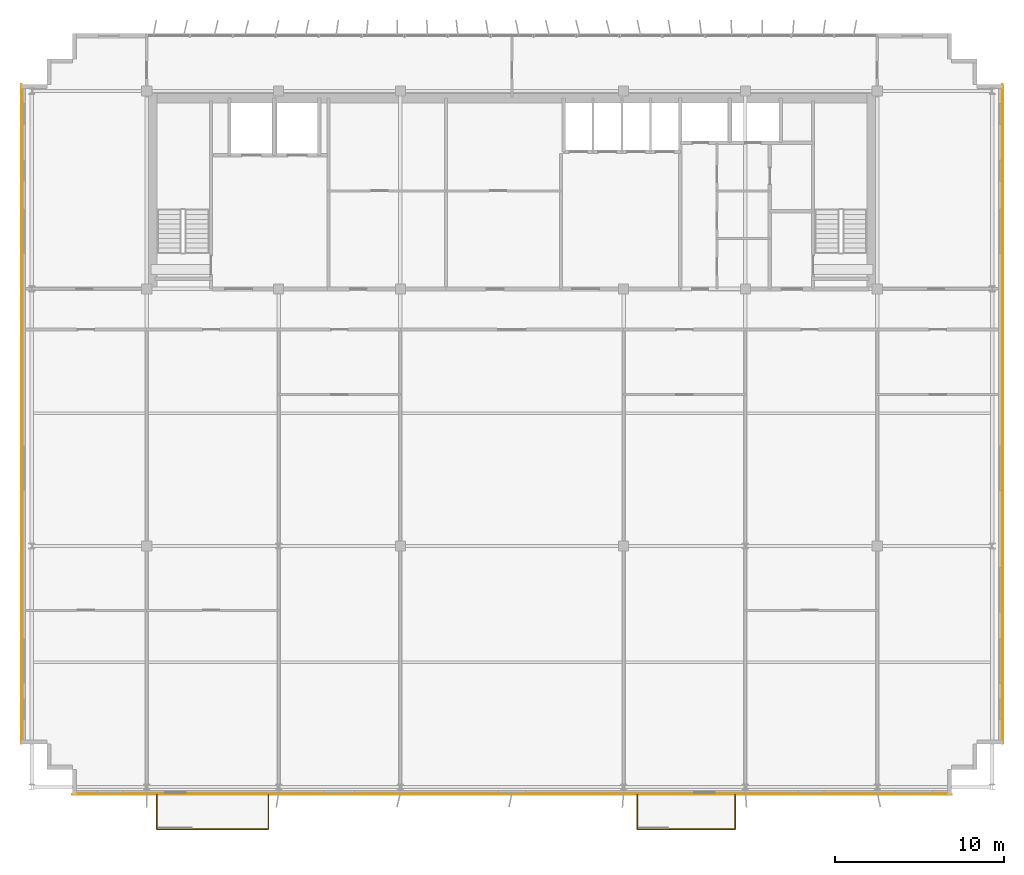
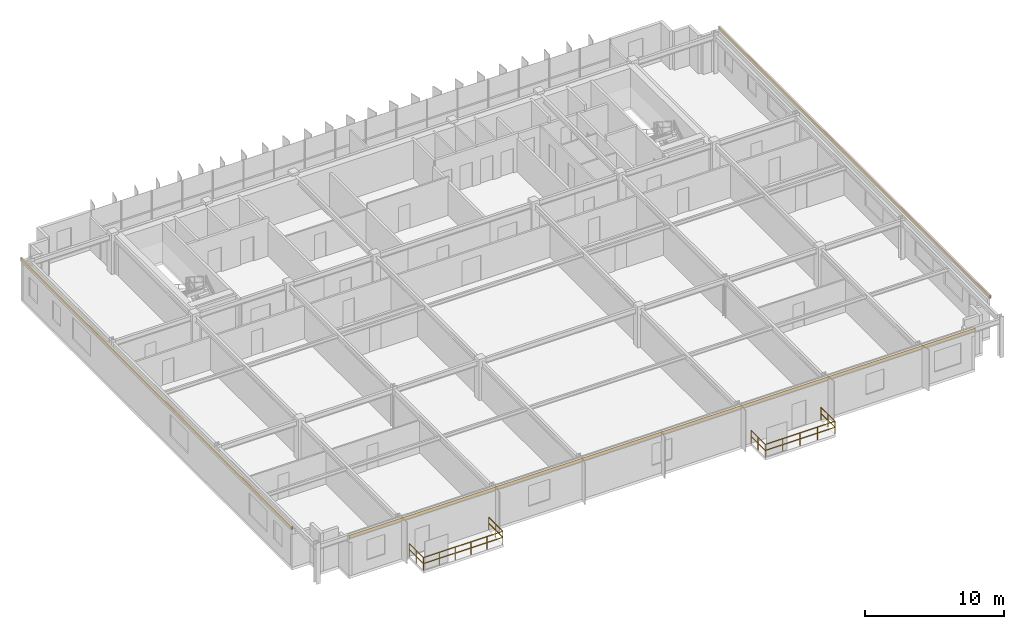
# One storey, part 20 of 21: 6 railings, 3 coverings.
"""IFC4 building model written with IfcOpenShell, lengths in metres."""

from ifc_helpers import new_model, si_unit, direction, frame, origin, origin_2d, place, context, subcontext, project, spatial, rectangle, extrude, source, transform, mapped, material, layer, layer_set, type_object, element, save


model = new_model("IFC4")

# Units and contexts
model_context = context("Model", 3, precision=1e-05, world=origin(), true_north=direction((0.0, 1.0)))
body_context = subcontext(model_context, "Body", "Model", "MODEL_VIEW")
ifc_project = project(units=[si_unit("LENGTHUNIT", "METRE"), si_unit("AREAUNIT", "SQUARE_METRE"), si_unit("VOLUMEUNIT", "CUBIC_METRE"), si_unit("PLANEANGLEUNIT", "RADIAN"), si_unit("MASSUNIT", "GRAM", prefix="KILO")], contexts=[model_context])

# Site, building, storey
site_placement = place(None, origin())
site = spatial("IfcSite", under=ifc_project, at=site_placement, CompositionType="ELEMENT")
building_placement = place(site_placement, origin())
building = spatial("IfcBuilding", under=site, at=building_placement, Name="Trelvane Seafront Commons", CompositionType="ELEMENT")
storey_placement = place(building_placement, frame((0.0, 0.0, 255.89990234375)))
storey = spatial("IfcBuildingStorey", under=building, at=storey_placement, Name="L66", CompositionType="ELEMENT", Elevation=255.89990234375)

# Railings
ifc_material_1 = material(Name="Stainless steel balustrade", Category="steel")
railing_type = type_object("IfcRailingType", Name="ARCH-RAIL-BAL1150", PredefinedType="BALUSTRADE", material=ifc_material_1)
railing_1_placement = place(storey_placement, frame((16.199951171875, 3.5, 0.0)))
element("IfcRailing", 1, at=railing_1_placement, inside=storey, type_object=railing_type, Name="RL-L66-BAL0-01", PredefinedType="BALUSTRADE", context=body_context, shape_type="SweptSolid", body=[
    extrude(rectangle(XDim=0.048095703125, YDim=0.048095703125, at=origin_2d()), frame((0.0, 0.0, 1.1259765625), z_axis=(0.0, -1.0, 0.0), x_axis=(1.0, 0.0, 0.0)), (0.0, 0.0, 1.0), 2.0400390625),
    extrude(rectangle(XDim=0.048095703125, YDim=0.048095703125, at=origin_2d()), frame((0.0, 0.0, 0.597900390625), z_axis=(0.0, -1.0, 0.0), x_axis=(1.0, 0.0, 0.0)), (0.0, 0.0, 1.0), 2.0400390625),
    extrude(rectangle(XDim=0.0419921875, YDim=0.0419921875, at=origin_2d()), origin(), (0.0, 0.0, 1.0), 1.1259765625),
    extrude(rectangle(XDim=0.0419921875, YDim=0.0419921875, at=origin_2d()), frame((0.0, -1.02001953125, 0.0)), (0.0, 0.0, 1.0), 1.1259765625),
    extrude(rectangle(XDim=0.0419921875, YDim=0.0419921875, at=origin_2d()), frame((0.0, -2.0400390625, 0.0)), (0.0, 0.0, 1.0), 1.1259765625),
])
railing_2_placement = place(storey_placement, frame((16.199951171875, 1.4599609375, 0.0)))
element("IfcRailing", 2, at=railing_2_placement, inside=storey, type_object=railing_type, Name="RL-L66-BAL0-02", PredefinedType="BALUSTRADE", context=body_context, shape_type="SweptSolid", body=[
    extrude(rectangle(XDim=0.048095703125, YDim=0.048095703125, at=origin_2d()), frame((0.0, 0.0, 1.1259765625), z_axis=(1.0, 0.0, 0.0), x_axis=(0.0, 1.0, 0.0)), (0.0, 0.0, 1.0), 6.60009765625),
    extrude(rectangle(XDim=0.048095703125, YDim=0.048095703125, at=origin_2d()), frame((0.0, 0.0, 0.597900390625), z_axis=(1.0, 0.0, 0.0), x_axis=(0.0, 1.0, 0.0)), (0.0, 0.0, 1.0), 6.60009765625),
    extrude(rectangle(XDim=0.0419921875, YDim=0.0419921875, at=origin_2d()), origin(), (0.0, 0.0, 1.0), 1.1259765625),
    extrude(rectangle(XDim=0.0419921875, YDim=0.0419921875, at=origin_2d()), frame((1.320068359375, 0.0, 0.0)), (0.0, 0.0, 1.0), 1.1259765625),
    extrude(rectangle(XDim=0.0419921875, YDim=0.0419921875, at=origin_2d()), frame((2.64013671875, 0.0, 0.0)), (0.0, 0.0, 1.0), 1.1259765625),
    extrude(rectangle(XDim=0.0419921875, YDim=0.0419921875, at=origin_2d()), frame((3.9599609375, 0.0, 0.0)), (0.0, 0.0, 1.0), 1.1259765625),
    extrude(rectangle(XDim=0.0419921875, YDim=0.0419921875, at=origin_2d()), frame((5.280029296875, 0.0, 0.0)), (0.0, 0.0, 1.0), 1.1259765625),
    extrude(rectangle(XDim=0.0419921875, YDim=0.0419921875, at=origin_2d()), frame((6.60009765625, 0.0, 0.0)), (0.0, 0.0, 1.0), 1.1259765625),
])
railing_3_placement = place(storey_placement, frame((22.800048828125, 1.4599609375, 0.0)))
element("IfcRailing", 3, at=railing_3_placement, inside=storey, type_object=railing_type, Name="RL-L66-BAL0-03", PredefinedType="BALUSTRADE", context=body_context, shape_type="SweptSolid", body=[
    extrude(rectangle(XDim=0.048095703125, YDim=0.048095703125, at=origin_2d()), frame((0.0, 0.0, 1.1259765625), z_axis=(0.0, 1.0, 0.0), x_axis=(-1.0, 0.0, 0.0)), (0.0, 0.0, 1.0), 2.0400390625),
    extrude(rectangle(XDim=0.048095703125, YDim=0.048095703125, at=origin_2d()), frame((0.0, 0.0, 0.597900390625), z_axis=(0.0, 1.0, 0.0), x_axis=(-1.0, 0.0, 0.0)), (0.0, 0.0, 1.0), 2.0400390625),
    extrude(rectangle(XDim=0.0419921875, YDim=0.0419921875, at=origin_2d()), origin(), (0.0, 0.0, 1.0), 1.1259765625),
    extrude(rectangle(XDim=0.0419921875, YDim=0.0419921875, at=origin_2d()), frame((0.0, 1.02001953125, 0.0)), (0.0, 0.0, 1.0), 1.1259765625),
    extrude(rectangle(XDim=0.0419921875, YDim=0.0419921875, at=origin_2d()), frame((0.0, 2.0400390625, 0.0)), (0.0, 0.0, 1.0), 1.1259765625),
])
railing_4_placement = place(storey_placement, frame((44.60009765625, 3.5, 0.0)))
element("IfcRailing", 4, at=railing_4_placement, inside=storey, type_object=railing_type, Name="RL-L66-BAL1-01", PredefinedType="BALUSTRADE", context=body_context, shape_type="SweptSolid", body=[
    extrude(rectangle(XDim=0.048095703125, YDim=0.048095703125, at=origin_2d()), frame((0.0, 0.0, 1.1259765625), z_axis=(0.0, -1.0, 0.0), x_axis=(1.0, 0.0, 0.0)), (0.0, 0.0, 1.0), 2.0400390625),
    extrude(rectangle(XDim=0.048095703125, YDim=0.048095703125, at=origin_2d()), frame((0.0, 0.0, 0.597900390625), z_axis=(0.0, -1.0, 0.0), x_axis=(1.0, 0.0, 0.0)), (0.0, 0.0, 1.0), 2.0400390625),
    extrude(rectangle(XDim=0.0419921875, YDim=0.0419921875, at=origin_2d()), origin(), (0.0, 0.0, 1.0), 1.1259765625),
    extrude(rectangle(XDim=0.0419921875, YDim=0.0419921875, at=origin_2d()), frame((0.0, -1.02001953125, 0.0)), (0.0, 0.0, 1.0), 1.1259765625),
    extrude(rectangle(XDim=0.0419921875, YDim=0.0419921875, at=origin_2d()), frame((0.0, -2.0400390625, 0.0)), (0.0, 0.0, 1.0), 1.1259765625),
])
railing_5_placement = place(storey_placement, frame((44.60009765625, 1.4599609375, 0.0)))
element("IfcRailing", 5, at=railing_5_placement, inside=storey, type_object=railing_type, Name="RL-L66-BAL1-02", PredefinedType="BALUSTRADE", context=body_context, shape_type="SweptSolid", body=[
    extrude(rectangle(XDim=0.048095703125, YDim=0.048095703125, at=origin_2d()), frame((0.0, 0.0, 1.1259765625), z_axis=(1.0, 0.0, 0.0), x_axis=(0.0, 1.0, 0.0)), (0.0, 0.0, 1.0), 5.7998046875),
    extrude(rectangle(XDim=0.048095703125, YDim=0.048095703125, at=origin_2d()), frame((0.0, 0.0, 0.597900390625), z_axis=(1.0, 0.0, 0.0), x_axis=(0.0, 1.0, 0.0)), (0.0, 0.0, 1.0), 5.7998046875),
    extrude(rectangle(XDim=0.0419921875, YDim=0.0419921875, at=origin_2d()), origin(), (0.0, 0.0, 1.0), 1.1259765625),
    extrude(rectangle(XDim=0.0419921875, YDim=0.0419921875, at=origin_2d()), frame((1.449951171875, 0.0, 0.0)), (0.0, 0.0, 1.0), 1.1259765625),
    extrude(rectangle(XDim=0.0419921875, YDim=0.0419921875, at=origin_2d()), frame((2.89990234375, 0.0, 0.0)), (0.0, 0.0, 1.0), 1.1259765625),
    extrude(rectangle(XDim=0.0419921875, YDim=0.0419921875, at=origin_2d()), frame((4.349853515625, 0.0, 0.0)), (0.0, 0.0, 1.0), 1.1259765625),
    extrude(rectangle(XDim=0.0419921875, YDim=0.0419921875, at=origin_2d()), frame((5.7998046875, 0.0, 0.0)), (0.0, 0.0, 1.0), 1.1259765625),
])
railing_6_placement = place(storey_placement, frame((50.39990234375, 1.4599609375, 0.0)))
element("IfcRailing", 6, at=railing_6_placement, inside=storey, type_object=railing_type, Name="RL-L66-BAL1-03", PredefinedType="BALUSTRADE", context=body_context, shape_type="SweptSolid", body=[
    extrude(rectangle(XDim=0.048095703125, YDim=0.048095703125, at=origin_2d()), frame((0.0, 0.0, 1.1259765625), z_axis=(0.0, 1.0, 0.0), x_axis=(-1.0, 0.0, 0.0)), (0.0, 0.0, 1.0), 2.0400390625),
    extrude(rectangle(XDim=0.048095703125, YDim=0.048095703125, at=origin_2d()), frame((0.0, 0.0, 0.597900390625), z_axis=(0.0, 1.0, 0.0), x_axis=(-1.0, 0.0, 0.0)), (0.0, 0.0, 1.0), 2.0400390625),
    extrude(rectangle(XDim=0.0419921875, YDim=0.0419921875, at=origin_2d()), origin(), (0.0, 0.0, 1.0), 1.1259765625),
    extrude(rectangle(XDim=0.0419921875, YDim=0.0419921875, at=origin_2d()), frame((0.0, 1.02001953125, 0.0)), (0.0, 0.0, 1.0), 1.1259765625),
    extrude(rectangle(XDim=0.0419921875, YDim=0.0419921875, at=origin_2d()), frame((0.0, 2.0400390625, 0.0)), (0.0, 0.0, 1.0), 1.1259765625),
])

# Coverings
ifc_material_2 = material(Name="Anodised pale-silver aluminium", Category="aluminium")
ifc_layer = layer(ifc_material_2, 0.034912109375, Name="ARCH-COV-CLAD35")
ifc_layer_set = layer_set([ifc_layer], Name="Anodised pale-silver aluminium")
covering_type = type_object("IfcCoveringType", Name="ARCH-COV-CLAD35", PredefinedType="CLADDING", material=ifc_layer_set)
shared_shape_1 = source(origin(), body_context, "Body", "SweptSolid", [
    extrude(rectangle(XDim=39.0, YDim=0.034912109375, at=origin_2d()), origin(), (0.0, 0.0, 1.0), 0.27001953125),
])
for number, where, z_axis, x_axis, name in (
    (7, (8.199951171875, 26.0, 3.330078125), (0.0, 0.0, 1.0), (0.0, 1.0, 0.0), "CLD-L66-00269"),
    (8, (66.199951171875, 26.0, 3.330078125), (0.0, 0.0, 1.0), (0.0, -1.0, 0.0), "CLD-L66-00270"),
):
    element("IfcCovering", number, at=place(storey_placement, frame(where, z_axis=z_axis, x_axis=x_axis)), inside=storey, type_object=covering_type, Name=name, PredefinedType="CLADDING", context=body_context, shape_type="MappedRepresentation", body=[
        mapped(shared_shape_1, transform((0.0, 0.0, 0.0), x_axis=(1.0, 0.0, 0.0), y_axis=(0.0, 1.0, 0.0), z_axis=(0.0, 0.0, 1.0), scale=1.0)),
    ])
shared_shape_2 = source(origin(), body_context, "Body", "SweptSolid", [
    extrude(rectangle(XDim=52.0, YDim=0.034912109375, at=origin_2d()), origin(), (0.0, 0.0, 1.0), 0.27001953125),
])
covering_placement = place(storey_placement, frame((37.199951171875, 3.5, 3.330078125), z_axis=(0.0, 0.0, 1.0), x_axis=(-1.0, 0.0, 0.0)))
element("IfcCovering", 9, at=covering_placement, inside=storey, type_object=covering_type, Name="CLD-L66-00271", PredefinedType="CLADDING", context=body_context, shape_type="MappedRepresentation", body=[
    mapped(shared_shape_2, transform((0.0, 0.0, 0.0), x_axis=(1.0, 0.0, 0.0), y_axis=(0.0, 1.0, 0.0), z_axis=(0.0, 0.0, 1.0), scale=1.0)),
])

save(model, "model.ifc")
